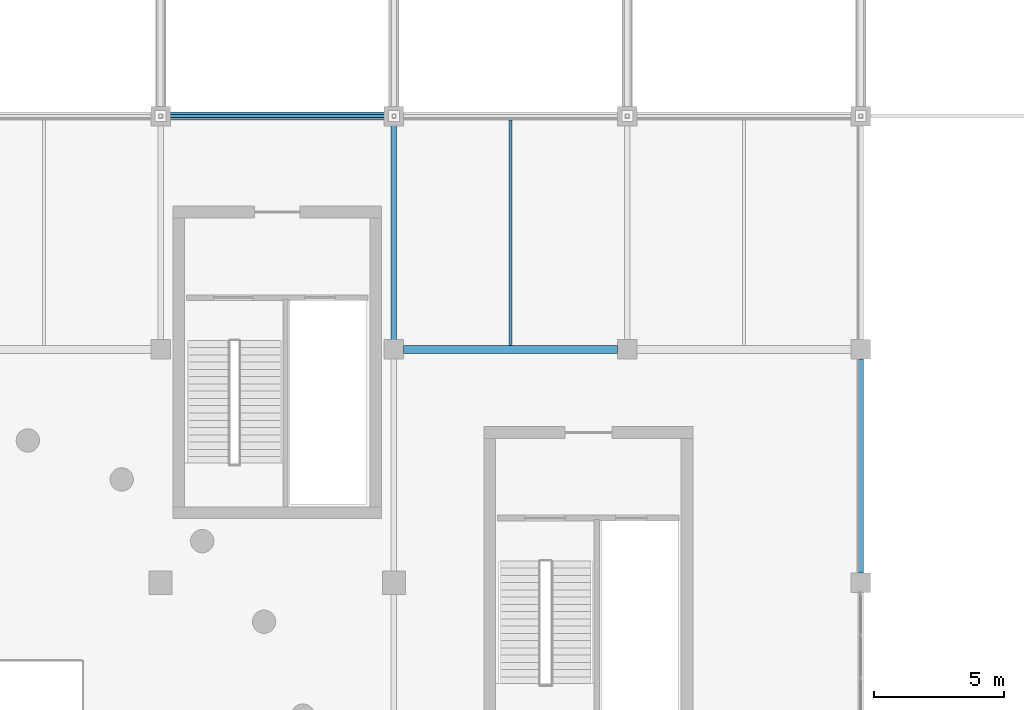
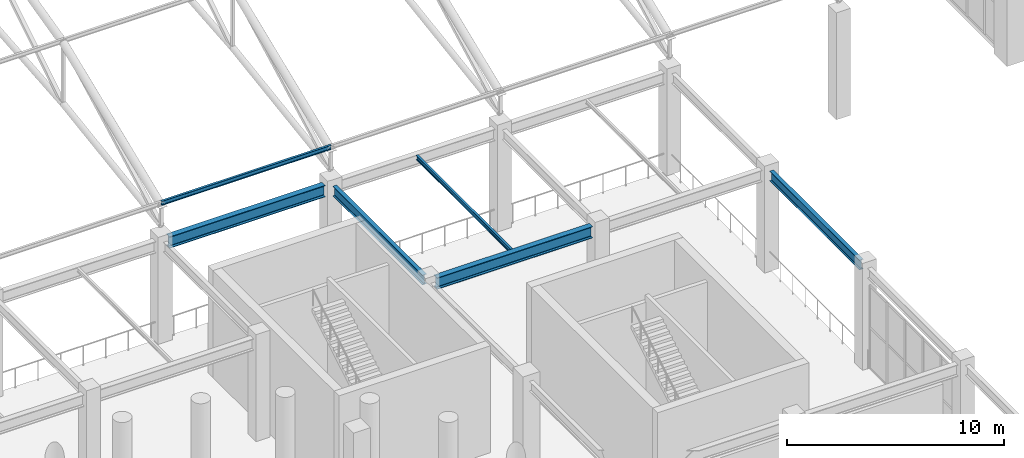
# One storey, part 81 of 223: 5 beams, 1 member.
"""IFC4 building model written with IfcOpenShell, lengths in metres."""

from ifc_helpers import new_model, si_unit, direction, frame, origin, origin_2d, place, context, subcontext, project, spatial, i_section, extrude, material, material_profile, profile_set, type_object, element, save


model = new_model("IFC4")

# Units and contexts
model_context = context("Model", 3, precision=1e-05, world=origin(), true_north=direction((0.0, 1.0)))
body_context = subcontext(model_context, "Body", "Model", "MODEL_VIEW")
ifc_project = project(units=[si_unit("LENGTHUNIT", "METRE"), si_unit("AREAUNIT", "SQUARE_METRE"), si_unit("VOLUMEUNIT", "CUBIC_METRE"), si_unit("PLANEANGLEUNIT", "RADIAN"), si_unit("MASSUNIT", "GRAM", prefix="KILO")], contexts=[model_context])

# Site, building, storey
site_placement = place(None, origin())
site = spatial("IfcSite", under=ifc_project, at=site_placement, CompositionType="ELEMENT")
building_placement = place(site_placement, origin())
building = spatial("IfcBuilding", under=site, at=building_placement, Name="Dornveld Trade and Exhibition Forum", CompositionType="ELEMENT")
storey_placement = place(building_placement, frame((0.0, 0.0, 6.0)))
storey = spatial("IfcBuildingStorey", under=building, at=storey_placement, Name="L01", CompositionType="ELEMENT", Elevation=6.0)

# Beams
ifc_material_1 = material(Name="Steel S355J2", Category="steel")
ifc_material_profile_1 = material_profile(ifc_material_1, i_section(OverallWidth=0.300048828125, OverallDepth=0.64990234375, WebThickness=0.01611328125, FlangeThickness=0.031005859375, FilletRadius=0.027099609375, at=origin_2d()), Name="HEB 650")
ifc_profile_set_1 = profile_set([ifc_material_profile_1], Name="Steel S355J2")
beam_type_1 = type_object("IfcBeamType", Name="BM-GIR-HEB650", PredefinedType="USERDEFINED", material=ifc_profile_set_1)
for number, where, z_axis, x_axis, name in (
    (1, (135.37109375, 99.0, 5.31494140625), (1.0, 0.0, 0.0), (0.0, 1.0, 0.0), "L01 X-girder 1188"),
    (2, (126.37109375, 108.0, 5.31494140625), (1.0, 0.0, 0.0), (0.0, 1.0, 0.0), "L01 X-girder 1195"),
):
    element("IfcBeam", number, at=place(storey_placement, frame(where, z_axis=z_axis, x_axis=x_axis)), inside=storey, type_object=beam_type_1, Name=name, ObjectType="GIRDER", PredefinedType="USERDEFINED", context=body_context, shape_type="SweptSolid", body=[
        extrude(i_section(OverallWidth=0.300048828125, OverallDepth=0.64990234375, WebThickness=0.01611328125, FlangeThickness=0.031005859375, FilletRadius=0.027099609375, at=origin_2d()), origin(), (0.0, 0.0, 1.0), 8.2578125),
    ])
ifc_material_2 = material(Name="Steel S355J2", Category="steel")
ifc_material_profile_2 = material_profile(ifc_material_2, i_section(OverallWidth=0.1201171875, OverallDepth=0.239990234375, WebThickness=0.006103515625, FlangeThickness=0.009765625, FilletRadius=0.014892578125, at=origin_2d()), Name="IPE 240")
ifc_profile_set_2 = profile_set([ifc_material_profile_2], Name="Steel S355J2")
beam_type_2 = type_object("IfcBeamType", Name="BM-JOIST-240", PredefinedType="JOIST", material=ifc_profile_set_2)
beam_placement = place(storey_placement, frame((139.5, 99.14697265625, 5.52001953125), z_axis=(0.0, 1.0, 0.0), x_axis=(-1.0, 0.0, 0.0)))
element("IfcBeam", 3, at=beam_placement, inside=storey, type_object=beam_type_2, Name="L01 secondary joist 1271", PredefinedType="JOIST", context=body_context, shape_type="SweptSolid", body=[
    extrude(i_section(OverallWidth=0.1201171875, OverallDepth=0.239990234375, WebThickness=0.006103515625, FlangeThickness=0.009765625, FilletRadius=0.014892578125, at=origin_2d()), origin(), (0.0, 0.0, 1.0), 8.7060546875),
])
ifc_material_3 = material(Name="Steel S355J2", Category="steel")
ifc_material_profile_3 = material_profile(ifc_material_3, i_section(OverallWidth=0.2099609375, OverallDepth=0.550048828125, WebThickness=0.010986328125, FlangeThickness=0.01708984375, FilletRadius=0.02392578125, at=origin_2d()), Name="IPE 550")
ifc_profile_set_3 = profile_set([ifc_material_profile_3], Name="Steel S355J2")
beam_type_3 = type_object("IfcBeamType", Name="BM-SEC-550", PredefinedType="BEAM", material=ifc_profile_set_3)
for number, where, z_axis, x_axis, name in (
    (4, (135.0, 99.37109375, 5.364990234375), (0.0, 1.0, 0.0), (-1.0, 0.0, 0.0), "L01 Y-girder 1237"),
    (5, (153.0, 90.37109375, 5.364990234375), (0.0, 1.0, 0.0), (-1.0, 0.0, 0.0), "L01 Y-girder 1248"),
):
    element("IfcBeam", number, at=place(storey_placement, frame(where, z_axis=z_axis, x_axis=x_axis)), inside=storey, type_object=beam_type_3, Name=name, PredefinedType="BEAM", context=body_context, shape_type="SweptSolid", body=[
        extrude(i_section(OverallWidth=0.2099609375, OverallDepth=0.550048828125, WebThickness=0.010986328125, FlangeThickness=0.01708984375, FilletRadius=0.02392578125, at=origin_2d()), origin(), (0.0, 0.0, 1.0), 8.2578125),
    ])

# Member
ifc_material_4 = material(Name="Steel S355J2", Category="steel")
ifc_material_profile_4 = material_profile(ifc_material_4, i_section(OverallWidth=0.1201171875, OverallDepth=0.239990234375, WebThickness=0.006103515625, FlangeThickness=0.009765625, FilletRadius=0.014892578125, at=origin_2d()), Name="IPE 240")
ifc_profile_set_4 = profile_set([ifc_material_profile_4], Name="Steel S355J2")
member_type = type_object("IfcMemberType", Name="MEM-PURLIN-240", PredefinedType="PURLIN", material=ifc_profile_set_4)
member_placement = place(storey_placement, frame((126.0, 108.0, 7.58203125), z_axis=(1.0, 0.0, 0.0), x_axis=(0.0, 1.0, 0.0)))
element("IfcMember", 6, at=member_placement, inside=storey, type_object=member_type, Name="H1 bay 4 roof purlin 1", PredefinedType="PURLIN", context=body_context, shape_type="SweptSolid", body=[
    extrude(i_section(OverallWidth=0.1201171875, OverallDepth=0.239990234375, WebThickness=0.006103515625, FlangeThickness=0.009765625, FilletRadius=0.014892578125, at=origin_2d()), origin(), (0.0, 0.0, 1.0), 9.0),
])

save(model, "model.ifc")
